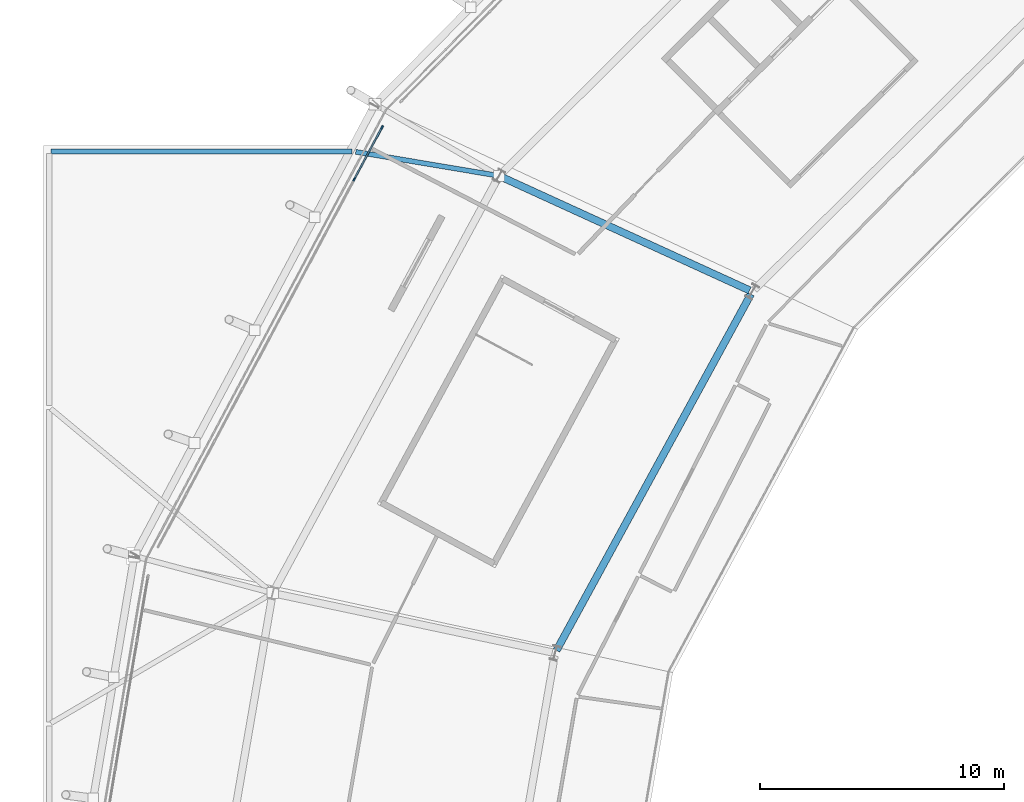
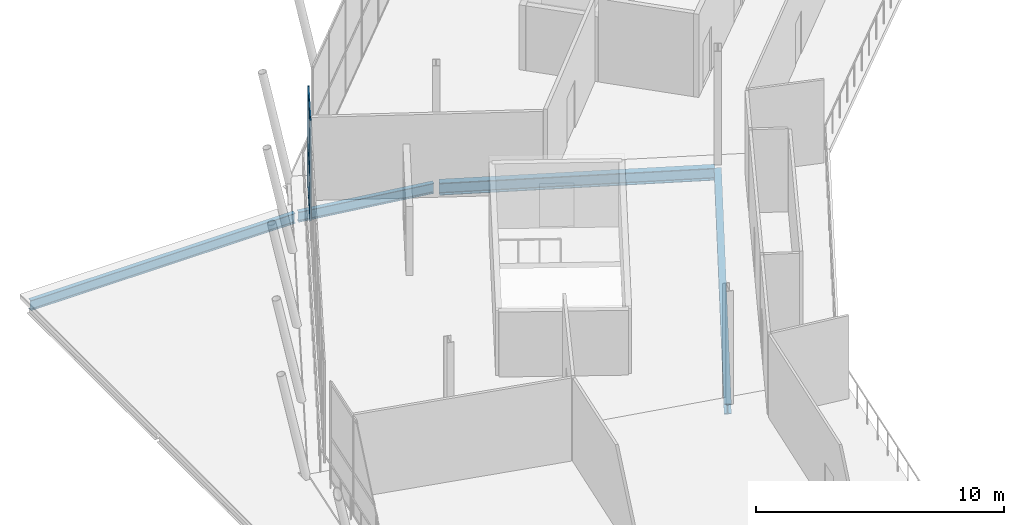
# One storey, part 28 of 99: 5 members, 4 beams, 1 element without a shape of its own.
"""IFC4 building model written with IfcOpenShell, lengths in metres."""

from ifc_helpers import new_model, si_unit, direction, frame, origin, origin_2d, place, context, subcontext, project, spatial, rectangle, i_section, extrude, material, material_profile, profile_set, type_object, element, aggregate, save


model = new_model("IFC4")

# Units and contexts
model_context = context("Model", 3, precision=1e-05, world=origin(), true_north=direction((0.0, 1.0)))
body_context = subcontext(model_context, "Body", "Model", "MODEL_VIEW")
ifc_project = project(units=[si_unit("LENGTHUNIT", "METRE"), si_unit("AREAUNIT", "SQUARE_METRE"), si_unit("VOLUMEUNIT", "CUBIC_METRE"), si_unit("PLANEANGLEUNIT", "RADIAN"), si_unit("MASSUNIT", "GRAM", prefix="KILO")], contexts=[model_context])

# Site, building, storey
site_placement = place(None, origin())
site = spatial("IfcSite", under=ifc_project, at=site_placement, CompositionType="ELEMENT")
building_placement = place(site_placement, origin())
building = spatial("IfcBuilding", under=site, at=building_placement, Name="Zlatoyarsky Gate Stadium", CompositionType="ELEMENT")
storey_placement = place(building_placement, frame((0.0, 0.0, 26.199951171875)))
storey = spatial("IfcBuildingStorey", under=building, at=storey_placement, Name="L05", CompositionType="ELEMENT", Elevation=26.199951171875)

# Curtain wall, members
ifc_material_1 = material(Name="Thermally broken anodised aluminium curtain wall", Category="aluminium")
curtain_wall_type = type_object("IfcCurtainWallType", Name="UNITISED SKYBOX RING GLAZING L05", PredefinedType="USERDEFINED", material=ifc_material_1)
curtain_wall_placement = place(storey_placement, origin())
curtain_wall = element("IfcCurtainWall", 1, at=curtain_wall_placement, inside=storey, type_object=curtain_wall_type, Name="Curtain wall CW-L05-10", ObjectType="UNITISED GLAZING", PredefinedType="USERDEFINED")
ifc_material_2 = material(Name="Anodised aluminium 6063-T6", Category="aluminium")
ifc_material_profile_1 = material_profile(ifc_material_2, rectangle(XDim=0.06494140625, YDim=0.159912109375, at=origin_2d()), Name="ALU 65X160")
ifc_profile_set_1 = profile_set([ifc_material_profile_1], Name="Anodised aluminium 6063-T6")
member_type_1 = type_object("IfcMemberType", Name="ALUMINIUM MULLION 65X160", PredefinedType="MULLION", material=ifc_profile_set_1)
member_1_placement = place(storey_placement, frame((25.65380859375, 117.48681640625, 0.0), z_axis=(0.0, 0.0, 1.0), x_axis=(0.882166738191, -0.470937199667, 0.0)))
member_1 = element("IfcMember", 2, at=member_1_placement, type_object=member_type_1, Name="CW-UG5 mullion 1", PredefinedType="MULLION", context=body_context, shape_type="SweptSolid", body=[
    extrude(rectangle(XDim=0.06494140625, YDim=0.159912109375, at=origin_2d()), origin(), (0.0, 0.0, 1.0), 4.880126953125),
])
member_2_placement = place(storey_placement, frame((24.519775390625, 115.3623046875, 0.0), z_axis=(0.0, 0.0, 1.0), x_axis=(0.882166738191, -0.470937199667, 0.0)))
member_2 = element("IfcMember", 3, at=member_2_placement, type_object=member_type_1, Name="CW-UG5 mullion 2", PredefinedType="MULLION", context=body_context, shape_type="SweptSolid", body=[
    extrude(rectangle(XDim=0.06494140625, YDim=0.159912109375, at=origin_2d()), origin(), (0.0, 0.0, 1.0), 4.880126953125),
])
ifc_material_profile_2 = material_profile(ifc_material_2, rectangle(XDim=0.06494140625, YDim=0.139892578125, at=origin_2d()), Name="ALU 65X140")
ifc_profile_set_2 = profile_set([ifc_material_profile_2], Name="Anodised aluminium 6063-T6")
member_type_2 = type_object("IfcMemberType", Name="ALUMINIUM TRANSOM 65X140", PredefinedType="USERDEFINED", material=ifc_profile_set_2)
member_3_placement = place(storey_placement, frame((25.638671875, 117.458251953125, 0.032470703125), z_axis=(-0.471015370143, -0.882125003097, 0.0), x_axis=(0.882125003097, -0.471015370143, 0.0)))
member_3 = element("IfcMember", 4, at=member_3_placement, type_object=member_type_2, Name="CW-UG5 transom 1.1", ObjectType="TRANSOM", PredefinedType="USERDEFINED", context=body_context, shape_type="SweptSolid", body=[
    extrude(rectangle(XDim=0.06494140625, YDim=0.139892578125, at=origin_2d()), origin(), (0.0, 0.0, 1.0), 2.34326171875),
])
member_4_placement = place(storey_placement, frame((25.638671875, 117.458251953125, 2.150146484375), z_axis=(-0.471015370143, -0.882125003097, 0.0), x_axis=(0.882125003097, -0.471015370143, 0.0)))
member_4 = element("IfcMember", 5, at=member_4_placement, type_object=member_type_2, Name="CW-UG5 transom 1.2", ObjectType="TRANSOM", PredefinedType="USERDEFINED", context=body_context, shape_type="SweptSolid", body=[
    extrude(rectangle(XDim=0.06494140625, YDim=0.139892578125, at=origin_2d()), origin(), (0.0, 0.0, 1.0), 2.34326171875),
])
member_5_placement = place(storey_placement, frame((25.638671875, 117.458251953125, 4.84765625), z_axis=(-0.471015370143, -0.882125003097, 0.0), x_axis=(0.882125003097, -0.471015370143, 0.0)))
member_5 = element("IfcMember", 6, at=member_5_placement, type_object=member_type_2, Name="CW-UG5 transom 1.3", ObjectType="TRANSOM", PredefinedType="USERDEFINED", context=body_context, shape_type="SweptSolid", body=[
    extrude(rectangle(XDim=0.06494140625, YDim=0.139892578125, at=origin_2d()), origin(), (0.0, 0.0, 1.0), 2.34326171875),
])
aggregate(curtain_wall, [member_1, member_2, member_3, member_4, member_5])

# Beams
ifc_material_3 = material(Name="Steel S355", Category="steel")
ifc_material_profile_3 = material_profile(ifc_material_3, i_section(OverallWidth=0.199951171875, OverallDepth=0.5, WebThickness=0.01025390625, FlangeThickness=0.01611328125, FilletRadius=0.02099609375, at=origin_2d()), Name="IPE 500")
ifc_profile_set_3 = profile_set([ifc_material_profile_3], Name="Steel S355")
beam_type_1 = type_object("IfcBeamType", Name="STEEL FLOOR BEAM IPE 500", PredefinedType="BEAM", material=ifc_profile_set_3)
beam_1_placement = place(storey_placement, frame((12.080078125, 116.5, -0.510009765625), z_axis=(1.0, 0.0, 0.0), x_axis=(0.0, 1.0, 0.0)))
element("IfcBeam", 7, at=beam_1_placement, inside=storey, type_object=beam_type_1, Name="Beam B-IPE500 BM-L05-WGX-2-L", PredefinedType="BEAM", context=body_context, shape_type="SweptSolid", body=[
    extrude(i_section(OverallWidth=0.199951171875, OverallDepth=0.5, WebThickness=0.01025390625, FlangeThickness=0.01611328125, FilletRadius=0.02099609375, at=origin_2d()), origin(), (0.0, 0.0, 1.0), 12.33984375),
])
beam_2_placement = place(storey_placement, frame((24.578857421875, 116.48681640625, -0.510009765625), z_axis=(0.986216052635, -0.165462677136, 0.0), x_axis=(0.165462677136, 0.986216052635, 0.0)))
element("IfcBeam", 8, at=beam_2_placement, inside=storey, type_object=beam_type_1, Name="Beam B-IPE500 BM-L05-WRF-W7", PredefinedType="BEAM", context=body_context, shape_type="SweptSolid", body=[
    extrude(i_section(OverallWidth=0.199951171875, OverallDepth=0.5, WebThickness=0.01025390625, FlangeThickness=0.01611328125, FilletRadius=0.02099609375, at=origin_2d()), origin(), (0.0, 0.0, 1.0), 5.843017578125),
])
ifc_material_profile_4 = material_profile(ifc_material_3, i_section(OverallWidth=0.300048828125, OverallDepth=0.5, WebThickness=0.014404296875, FlangeThickness=0.028076171875, FilletRadius=0.027099609375, at=origin_2d()), Name="HEB 500")
ifc_profile_set_4 = profile_set([ifc_material_profile_4], Name="Steel S355")
beam_type_2 = type_object("IfcBeamType", Name="STEEL PRIMARY GIRDER HEB 500", PredefinedType="BEAM", material=ifc_profile_set_4)
beam_3_placement = place(storey_placement, frame((40.79443359375, 110.644775390625, -0.510009765625), z_axis=(-0.478915800408, -0.877860840976, 0.0), x_axis=(0.877860840976, -0.478915800408, 0.0)))
element("IfcBeam", 9, at=beam_3_placement, inside=storey, type_object=beam_type_2, Name="Beam G-HEB500 BM-L05-CRB-10", PredefinedType="BEAM", context=body_context, shape_type="SweptSolid", body=[
    extrude(i_section(OverallWidth=0.300048828125, OverallDepth=0.5, WebThickness=0.014404296875, FlangeThickness=0.028076171875, FilletRadius=0.027099609375, at=origin_2d()), origin(), (0.0, 0.0, 1.0), 16.656494140625),
])
ifc_material_profile_5 = material_profile(ifc_material_3, i_section(OverallWidth=0.300048828125, OverallDepth=0.60009765625, WebThickness=0.015380859375, FlangeThickness=0.030029296875, FilletRadius=0.027099609375, at=origin_2d()), Name="HEB 600")
ifc_profile_set_5 = profile_set([ifc_material_profile_5], Name="Steel S355")
beam_type_3 = type_object("IfcBeamType", Name="STEEL PRIMARY GIRDER HEB 600", PredefinedType="BEAM", material=ifc_profile_set_5)
beam_4_placement = place(storey_placement, frame((40.742919921875, 110.7998046875, -0.56005859375), z_axis=(-0.909498994842, 0.415706120213, 0.0), x_axis=(-0.415706120213, -0.909498994842, 0.0)))
element("IfcBeam", 10, at=beam_4_placement, inside=storey, type_object=beam_type_3, Name="Beam G-HEB600 BM-L05-RBC-10", PredefinedType="BEAM", context=body_context, shape_type="SweptSolid", body=[
    extrude(i_section(OverallWidth=0.300048828125, OverallDepth=0.60009765625, WebThickness=0.015380859375, FlangeThickness=0.030029296875, FilletRadius=0.027099609375, at=origin_2d()), origin(), (0.0, 0.0, 1.0), 11.186767578125),
])

save(model, "model.ifc")
